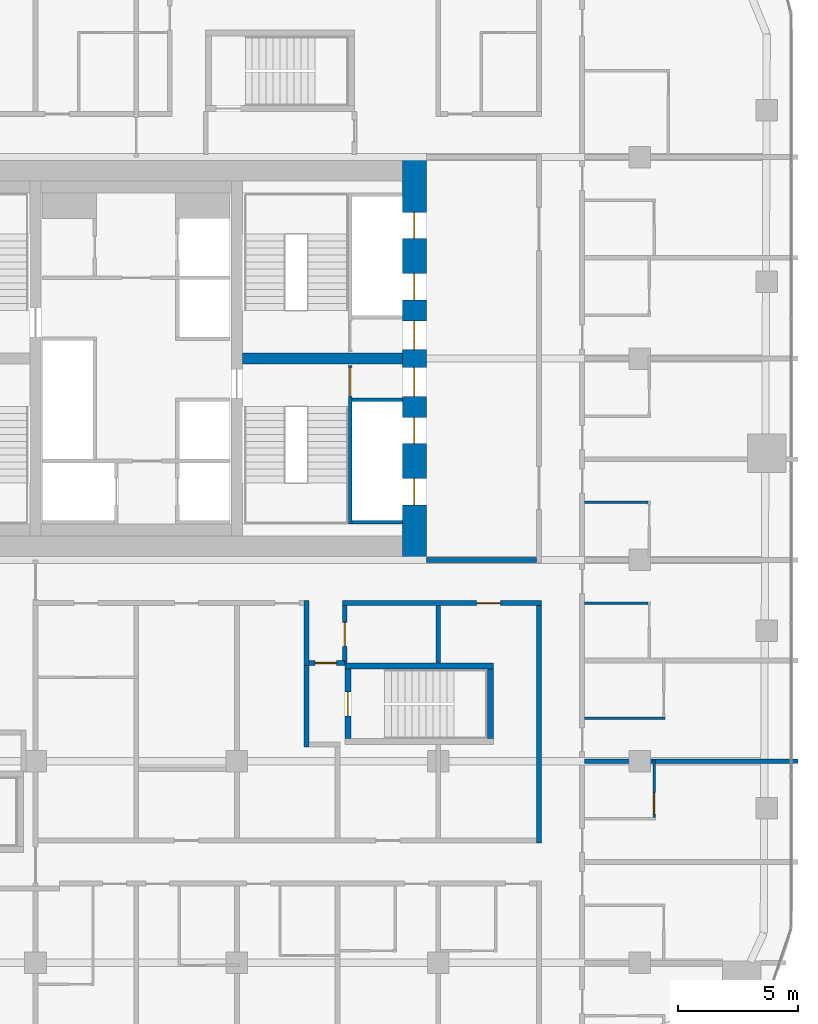
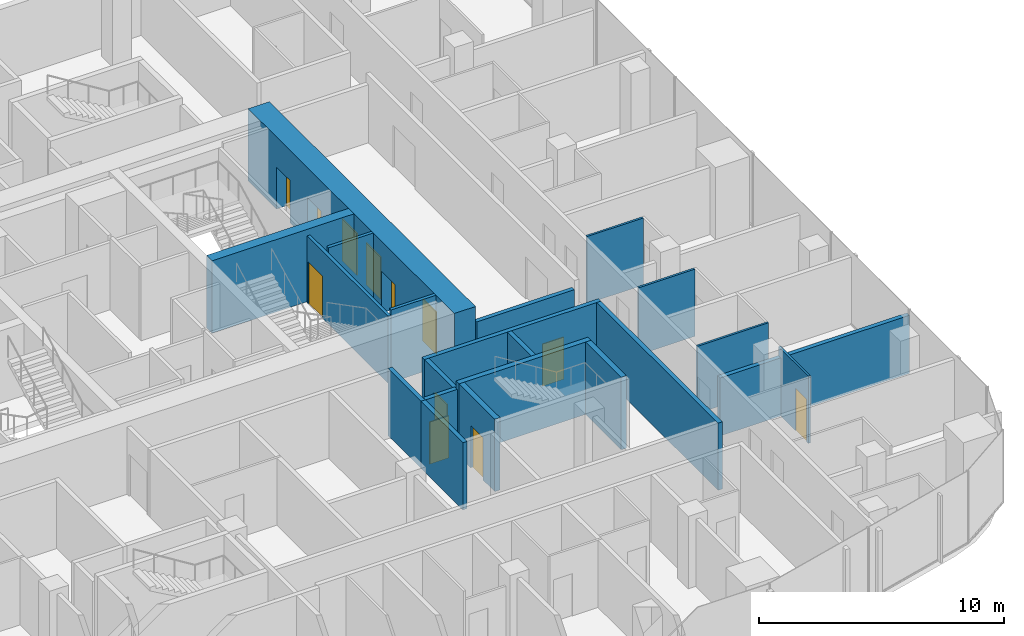
# One storey, part 17 of 23: 21 walls, 12 doors, 12 openings.
"""IFC4 building model written with IfcOpenShell, lengths in metres."""

from ifc_helpers import new_model, si_unit, direction, frame, frame_2d, origin, place, context, subcontext, project, spatial, rectangle, extrude, material, layer, layer_set, type_object, element, fill, save


model = new_model("IFC4")

# Units and contexts
model_context = context("Model", 3, precision=1e-05, world=origin(), true_north=direction((0.0, 1.0)))
body_context = subcontext(model_context, "Body", "Model", "MODEL_VIEW")
ifc_project = project(units=[si_unit("LENGTHUNIT", "METRE"), si_unit("AREAUNIT", "SQUARE_METRE"), si_unit("VOLUMEUNIT", "CUBIC_METRE"), si_unit("PLANEANGLEUNIT", "RADIAN"), si_unit("MASSUNIT", "GRAM", prefix="KILO")], contexts=[model_context])

# Site, building, storey
site_placement = place(None, origin())
site = spatial("IfcSite", under=ifc_project, at=site_placement, CompositionType="ELEMENT")
building_placement = place(site_placement, origin())
building = spatial("IfcBuilding", under=site, at=building_placement, Name="Marenta Gate Hotel Tower", CompositionType="ELEMENT")
storey_placement = place(building_placement, frame((0.0, 0.0, 140.89990234375)))
storey = spatial("IfcBuildingStorey", under=building, at=storey_placement, Name="L32", CompositionType="ELEMENT", Elevation=140.89990234375)

# Walls
ifc_material_1 = material(Name="Concrete blockwork", Category="masonry")
ifc_layer_1 = layer(ifc_material_1, 0.199951171875)
ifc_layer_set_1 = layer_set([ifc_layer_1], Name="Concrete blockwork")
wall_type_1 = type_object("IfcWallType", Name="Core boundary wall 200 REI 180", PredefinedType="PARTITIONING", material=ifc_layer_set_1)
wall_1_placement = place(storey_placement, frame((12.10009765625, 0.0, 0.0), z_axis=(0.0, 0.0, 1.0), x_axis=(1.0, 0.0, 0.0)))
element("IfcWall", 1, at=wall_1_placement, inside=storey, type_object=wall_type_1, Name="L32-CP-EW-ES", PredefinedType="PARTITIONING", context=body_context, shape_type="SweptSolid", body=[
    extrude(rectangle(XDim=4.599853515625, YDim=0.199951171875, at=frame_2d((2.2998046875, 0.0))), origin(), (0.0, 0.0, 1.0), 2.89013671875),
])
ifc_material_2 = material(Name="Concrete C40", Category="concrete")
ifc_layer_2 = layer(ifc_material_2, 0.14990234375)
ifc_layer_set_2 = layer_set([ifc_layer_2], Name="Concrete C40")
wall_type_2 = type_object("IfcWallType", Name="Core shaft wall 150 REI 180", PredefinedType="SHEAR", material=ifc_layer_set_2)
for number, where, z_axis, x_axis, name in (
    (2, (9.0, 6.675048828125, 0.0), (0.0, 0.0, 1.0), (1.0, 0.0, 0.0), "L32-SHF-SW-ES-2"),
    (3, (9.0, 1.574951171875, 0.0), (0.0, 0.0, 1.0), (1.0, 0.0, 0.0), "L32-SHF-SW-ES-5"),
):
    element("IfcWall", number, at=place(storey_placement, frame(where, z_axis=z_axis, x_axis=x_axis)), inside=storey, type_object=wall_type_2, Name=name, PredefinedType="SHEAR", context=body_context, shape_type="SweptSolid", body=[
        extrude(rectangle(XDim=2.10009765625, YDim=0.14990234375, at=frame_2d((1.050048828125, 0.0))), origin(), (0.0, 0.0, 1.0), 3.60009765625),
    ])

# Wall, opening, door
ifc_material_3 = material(Name="Concrete C40", Category="concrete")
ifc_layer_3 = layer(ifc_material_3, 0.14990234375)
ifc_layer_set_3 = layer_set([ifc_layer_3], Name="Concrete C40")
wall_type_3 = type_object("IfcWallType", Name="Core stair enclosure wall 150 REI 180", PredefinedType="SHEAR", material=ifc_layer_set_3)
wall_2_placement = place(storey_placement, frame((8.925048828125, 1.5, 0.0), z_axis=(0.0, 0.0, 1.0), x_axis=(0.0, 1.0, 0.0)))
wall_2 = element("IfcWall", 4, at=wall_2_placement, inside=storey, type_object=wall_type_3, Name="L32-SHF-SW-ES-3", PredefinedType="SHEAR", context=body_context, shape_type="SweptSolid", body=[
    extrude(rectangle(XDim=6.60009765625, YDim=0.14990234375, at=frame_2d((3.300048828125, 0.0))), origin(), (0.0, 0.0, 1.0), 3.340087890625),
])
opening_1_placement = place(wall_2_placement, frame((5.324951171875, 0.0, 0.0)))
opening_1 = element("IfcOpeningElement", 5, at=opening_1_placement, cuts=wall_2, Name="Opening SD-ES", PredefinedType="OPENING", context=body_context, shape_type="SweptSolid", body=[
    extrude(rectangle(XDim=1.199951171875, YDim=2.10009765625, at=frame_2d((0.60009765625, 1.050048828125))), frame((0.0, 0.074951171875, 0.0), z_axis=(0.0, -1.0, 0.0), x_axis=(1.0, 0.0, 0.0)), (0.0, 0.0, 1.0), 0.14990234375),
])
ifc_material_4 = material(Name="Steel", Category="steel")
door_type_1 = type_object("IfcDoorType", Name="Core stair door 1200x2100 FD60", OperationType="SINGLE_SWING_LEFT", PredefinedType="DOOR", material=ifc_material_4)
door_1_placement = place(opening_1_placement, origin())
door_1 = element("IfcDoor", 6, at=door_1_placement, inside=storey, type_object=door_type_1, Name="SD-ES", OperationType="SINGLE_SWING_LEFT", OverallHeight=2.10009765625, OverallWidth=1.199951171875, PredefinedType="DOOR", context=body_context, shape_type="SweptSolid", body=[
    extrude(rectangle(XDim=1.199951171875, YDim=2.10009765625, at=frame_2d((0.60009765625, 1.050048828125))), frame((0.0, 0.02490234375, 0.0), z_axis=(0.0, -1.0, 0.0), x_axis=(1.0, 0.0, 0.0)), (0.0, 0.0, 1.0), 0.050048828125),
])
fill(opening_1, door_1)

# Wall, openings, doors
ifc_material_5 = material(Name="Concrete C70", Category="concrete")
ifc_layer_4 = layer(ifc_material_5, 1.0)
ifc_layer_set_4 = layer_set([ifc_layer_4], Name="Concrete C70")
wall_type_4 = type_object("IfcWallType", Name="Core wall 1000 C70", PredefinedType="SHEAR", material=ifc_layer_set_4)
wall_3_placement = place(storey_placement, frame((11.60009765625, 0.0, 0.0), z_axis=(0.0, 0.0, 1.0), x_axis=(0.0, 1.0, 0.0)))
wall_3 = element("IfcWall", 7, at=wall_3_placement, inside=storey, type_object=wall_type_4, Name="L32-CORE-E", PredefinedType="SHEAR", context=body_context, shape_type="SweptSolid", body=[
    extrude(rectangle(XDim=16.800048828125, YDim=1.0, at=frame_2d((8.39990234375, 0.0))), origin(), (0.0, 0.0, 1.0), 3.60009765625),
])
opening_2_placement = place(wall_3_placement, frame((2.300048828125, 0.0, 0.0)))
opening_2 = element("IfcOpeningElement", 8, at=opening_2_placement, cuts=wall_3, Name="Opening LD-HR1", PredefinedType="OPENING", context=body_context, shape_type="SweptSolid", body=[
    extrude(rectangle(XDim=1.10009765625, YDim=2.10009765625, at=frame_2d((0.550048828125, 1.050048828125))), frame((0.0, 0.5, 0.0), z_axis=(0.0, -1.0, 0.0), x_axis=(1.0, 0.0, 0.0)), (0.0, 0.0, 1.0), 1.0),
])
opening_3_placement = place(wall_3_placement, frame((4.85009765625, 0.0, 0.0)))
opening_3 = element("IfcOpeningElement", 9, at=opening_3_placement, cuts=wall_3, Name="Opening LD-HR2", PredefinedType="OPENING", context=body_context, shape_type="SweptSolid", body=[
    extrude(rectangle(XDim=1.10009765625, YDim=2.10009765625, at=frame_2d((0.550048828125, 1.050048828125))), frame((0.0, 0.5, 0.0), z_axis=(0.0, -1.0, 0.0), x_axis=(1.0, 0.0, 0.0)), (0.0, 0.0, 1.0), 1.0),
])
opening_4_placement = place(wall_3_placement, frame((6.824951171875, 0.0, 0.0)))
opening_4 = element("IfcOpeningElement", 10, at=opening_4_placement, cuts=wall_3, Name="Opening PD-ES", PredefinedType="OPENING", context=body_context, shape_type="SweptSolid", body=[
    extrude(rectangle(XDim=1.199951171875, YDim=2.10009765625, at=frame_2d((0.60009765625, 1.050048828125))), frame((0.0, 0.5, 0.0), z_axis=(0.0, -1.0, 0.0), x_axis=(1.0, 0.0, 0.0)), (0.0, 0.0, 1.0), 1.0),
])
opening_5_placement = place(wall_3_placement, frame((13.39990234375, 0.0, 0.0)))
opening_5 = element("IfcOpeningElement", 11, at=opening_5_placement, cuts=wall_3, Name="Opening LD-HR4", PredefinedType="OPENING", context=body_context, shape_type="SweptSolid", body=[
    extrude(rectangle(XDim=1.10009765625, YDim=2.10009765625, at=frame_2d((0.550048828125, 1.050048828125))), frame((0.0, 0.5, 0.0), z_axis=(0.0, -1.0, 0.0), x_axis=(1.0, 0.0, 0.0)), (0.0, 0.0, 1.0), 1.0),
])
opening_6_placement = place(wall_3_placement, frame((10.85009765625, 0.0, 0.0)))
opening_6 = element("IfcOpeningElement", 12, at=opening_6_placement, cuts=wall_3, Name="Opening LD-HR3", PredefinedType="OPENING", context=body_context, shape_type="SweptSolid", body=[
    extrude(rectangle(XDim=1.10009765625, YDim=2.10009765625, at=frame_2d((0.550048828125, 1.050048828125))), frame((0.0, 0.5, 0.0), z_axis=(0.0, -1.0, 0.0), x_axis=(1.0, 0.0, 0.0)), (0.0, 0.0, 1.0), 1.0),
])
opening_7_placement = place(wall_3_placement, frame((8.77490234375, 0.0, 0.0)))
opening_7 = element("IfcOpeningElement", 13, at=opening_7_placement, cuts=wall_3, Name="Opening PD-EN", PredefinedType="OPENING", context=body_context, shape_type="SweptSolid", body=[
    extrude(rectangle(XDim=1.199951171875, YDim=2.10009765625, at=frame_2d((0.60009765625, 1.050048828125))), frame((0.0, 0.5, 0.0), z_axis=(0.0, -1.0, 0.0), x_axis=(1.0, 0.0, 0.0)), (0.0, 0.0, 1.0), 1.0),
])
ifc_material_6 = material(Name="Steel", Category="steel")
door_type_2 = type_object("IfcDoorType", Name="Core lift landing door 1100x2100 E 60", OperationType="SLIDING_TO_LEFT", PredefinedType="DOOR", material=ifc_material_6)
door_2_placement = place(opening_2_placement, origin())
door_2 = element("IfcDoor", 14, at=door_2_placement, inside=storey, type_object=door_type_2, Name="LD-HR1", OperationType="SLIDING_TO_LEFT", OverallHeight=2.10009765625, OverallWidth=1.10009765625, PredefinedType="DOOR", context=body_context, shape_type="SweptSolid", body=[
    extrude(rectangle(XDim=1.10009765625, YDim=2.10009765625, at=frame_2d((0.550048828125, 1.050048828125))), frame((0.0, 0.02490234375, 0.0), z_axis=(0.0, -1.0, 0.0), x_axis=(1.0, 0.0, 0.0)), (0.0, 0.0, 1.0), 0.050048828125),
])
fill(opening_2, door_2)
door_3_placement = place(opening_3_placement, origin())
door_3 = element("IfcDoor", 15, at=door_3_placement, inside=storey, type_object=door_type_2, Name="LD-HR2", OperationType="SLIDING_TO_LEFT", OverallHeight=2.10009765625, OverallWidth=1.10009765625, PredefinedType="DOOR", context=body_context, shape_type="SweptSolid", body=[
    extrude(rectangle(XDim=1.10009765625, YDim=2.10009765625, at=frame_2d((0.550048828125, 1.050048828125))), frame((0.0, 0.02490234375, 0.0), z_axis=(0.0, -1.0, 0.0), x_axis=(1.0, 0.0, 0.0)), (0.0, 0.0, 1.0), 0.050048828125),
])
fill(opening_3, door_3)
door_4_placement = place(opening_5_placement, origin())
door_4 = element("IfcDoor", 16, at=door_4_placement, inside=storey, type_object=door_type_2, Name="LD-HR4", OperationType="SLIDING_TO_LEFT", OverallHeight=2.10009765625, OverallWidth=1.10009765625, PredefinedType="DOOR", context=body_context, shape_type="SweptSolid", body=[
    extrude(rectangle(XDim=1.10009765625, YDim=2.10009765625, at=frame_2d((0.550048828125, 1.050048828125))), frame((0.0, 0.02490234375, 0.0), z_axis=(0.0, -1.0, 0.0), x_axis=(1.0, 0.0, 0.0)), (0.0, 0.0, 1.0), 0.050048828125),
])
fill(opening_5, door_4)
door_5_placement = place(opening_6_placement, origin())
door_5 = element("IfcDoor", 17, at=door_5_placement, inside=storey, type_object=door_type_2, Name="LD-HR3", OperationType="SLIDING_TO_LEFT", OverallHeight=2.10009765625, OverallWidth=1.10009765625, PredefinedType="DOOR", context=body_context, shape_type="SweptSolid", body=[
    extrude(rectangle(XDim=1.10009765625, YDim=2.10009765625, at=frame_2d((0.550048828125, 1.050048828125))), frame((0.0, 0.02490234375, 0.0), z_axis=(0.0, -1.0, 0.0), x_axis=(1.0, 0.0, 0.0)), (0.0, 0.0, 1.0), 0.050048828125),
])
fill(opening_6, door_5)
ifc_material_7 = material(Name="Steel", Category="steel")
door_type_3 = type_object("IfcDoorType", Name="Core lobby door 1200x2100 FD60", OperationType="SINGLE_SWING_LEFT", PredefinedType="DOOR", material=ifc_material_7)
door_6_placement = place(opening_4_placement, origin())
door_6 = element("IfcDoor", 18, at=door_6_placement, inside=storey, type_object=door_type_3, Name="PD-ES", OperationType="SINGLE_SWING_LEFT", OverallHeight=2.10009765625, OverallWidth=1.199951171875, PredefinedType="DOOR", context=body_context, shape_type="SweptSolid", body=[
    extrude(rectangle(XDim=1.199951171875, YDim=2.10009765625, at=frame_2d((0.60009765625, 1.050048828125))), frame((0.0, 0.02490234375, 0.0), z_axis=(0.0, -1.0, 0.0), x_axis=(1.0, 0.0, 0.0)), (0.0, 0.0, 1.0), 0.050048828125),
])
fill(opening_4, door_6)
door_7_placement = place(opening_7_placement, origin())
door_7 = element("IfcDoor", 19, at=door_7_placement, inside=storey, type_object=door_type_3, Name="PD-EN", OperationType="SINGLE_SWING_LEFT", OverallHeight=2.10009765625, OverallWidth=1.199951171875, PredefinedType="DOOR", context=body_context, shape_type="SweptSolid", body=[
    extrude(rectangle(XDim=1.199951171875, YDim=2.10009765625, at=frame_2d((0.60009765625, 1.050048828125))), frame((0.0, 0.02490234375, 0.0), z_axis=(0.0, -1.0, 0.0), x_axis=(1.0, 0.0, 0.0)), (0.0, 0.0, 1.0), 0.050048828125),
])
fill(opening_7, door_7)

# Walls
ifc_material_8 = material(Name="Concrete C70", Category="concrete")
ifc_layer_5 = layer(ifc_material_8, 0.449951171875)
ifc_layer_set_5 = layer_set([ifc_layer_5], Name="Concrete C70")
wall_type_5 = type_object("IfcWallType", Name="Core web 450 C70", PredefinedType="SHEAR", material=ifc_layer_set_5)
wall_4_placement = place(storey_placement, frame((4.425048828125, 8.39990234375, 0.0), z_axis=(0.0, 0.0, 1.0), x_axis=(1.0, 0.0, 0.0)))
element("IfcWall", 20, at=wall_4_placement, inside=storey, type_object=wall_type_5, Name="L32-CORE-W4", PredefinedType="SHEAR", context=body_context, shape_type="SweptSolid", body=[
    extrude(rectangle(XDim=6.675048828125, YDim=0.449951171875, at=frame_2d((3.33740234375, 0.0))), origin(), (0.0, 0.0, 1.0), 3.60009765625),
])
ifc_material_9 = material(Name="Concrete C40", Category="concrete")
ifc_layer_6 = layer(ifc_material_9, 0.25)
ifc_layer_set_6 = layer_set([ifc_layer_6], Name="Concrete C40")
wall_type_6 = type_object("IfcWallType", Name="Remote stair enclosure wall 250 REI 180", PredefinedType="SHEAR", material=ifc_layer_set_6)
wall_5_placement = place(storey_placement, frame((8.699951171875, -4.425048828125, 0.10009765625), z_axis=(0.0, 0.0, 1.0), x_axis=(1.0, 0.0, 0.0)))
element("IfcWall", 21, at=wall_5_placement, inside=storey, type_object=wall_type_6, Name="L32-RS-Z2-2-W2", PredefinedType="SHEAR", context=body_context, shape_type="SweptSolid", body=[
    extrude(rectangle(XDim=6.199951171875, YDim=0.25, at=frame_2d((3.10009765625, 0.0))), origin(), (0.0, 0.0, 1.0), 3.60009765625),
])

# Wall, opening, door
wall_6_placement = place(storey_placement, frame((8.824951171875, -7.449951171875, 0.10009765625), z_axis=(0.0, 0.0, 1.0), x_axis=(0.0, 1.0, 0.0)))
wall_6 = element("IfcWall", 22, at=wall_6_placement, inside=storey, type_object=wall_type_6, Name="L32-RS-Z2-2-W3", PredefinedType="SHEAR", context=body_context, shape_type="SweptSolid", body=[
    extrude(rectangle(XDim=2.89990234375, YDim=0.25, at=frame_2d((1.449951171875, 0.0))), origin(), (0.0, 0.0, 1.0), 3.60009765625),
])
opening_8_placement = place(wall_6_placement, frame((0.949951171875, 0.0, 0.0)))
opening_8 = element("IfcOpeningElement", 23, at=opening_8_placement, cuts=wall_6, Name="Opening VD", PredefinedType="OPENING", context=body_context, shape_type="SweptSolid", body=[
    extrude(rectangle(XDim=1.0, YDim=2.10009765625, at=frame_2d((0.5, 1.050048828125))), frame((0.0, 0.125, 0.0), z_axis=(0.0, -1.0, 0.0), x_axis=(1.0, 0.0, 0.0)), (0.0, 0.0, 1.0), 0.25),
])
ifc_material_10 = material(Name="Steel", Category="steel")
door_type_4 = type_object("IfcDoorType", Name="Stair vestibule door 1000x2100 FD60", OperationType="SINGLE_SWING_LEFT", PredefinedType="DOOR", material=ifc_material_10)
door_8_placement = place(opening_8_placement, origin())
door_8 = element("IfcDoor", 24, at=door_8_placement, inside=storey, type_object=door_type_4, Name="VD", OperationType="SINGLE_SWING_LEFT", OverallHeight=2.10009765625, OverallWidth=1.0, PredefinedType="DOOR", context=body_context, shape_type="SweptSolid", body=[
    extrude(rectangle(XDim=1.0, YDim=2.10009765625, at=frame_2d((0.5, 1.050048828125))), frame((0.0, 0.02490234375, 0.0), z_axis=(0.0, -1.0, 0.0), x_axis=(1.0, 0.0, 0.0)), (0.0, 0.0, 1.0), 0.050048828125),
])
fill(opening_8, door_8)

# Walls
wall_7_placement = place(storey_placement, frame((14.77490234375, -7.449951171875, 0.10009765625), z_axis=(0.0, 0.0, 1.0), x_axis=(0.0, 1.0, 0.0)))
element("IfcWall", 25, at=wall_7_placement, inside=storey, type_object=wall_type_6, Name="L32-RS-Z2-2-W4", PredefinedType="SHEAR", context=body_context, shape_type="SweptSolid", body=[
    extrude(rectangle(XDim=2.89990234375, YDim=0.25, at=frame_2d((1.449951171875, 0.0))), origin(), (0.0, 0.0, 1.0), 3.60009765625),
])
ifc_material_11 = material(Name="Gypsum board on steel stud", Category="steel")
ifc_layer_7 = layer(ifc_material_11, 0.199951171875)
ifc_layer_set_7 = layer_set([ifc_layer_7], Name="Gypsum board on steel stud")
wall_type_7 = type_object("IfcWallType", Name="Room corridor wall 200 EI 60", PredefinedType="PARTITIONING", material=ifc_layer_set_7)
wall_8_placement = place(storey_placement, frame((16.800048828125, -11.800048828125, 0.0), z_axis=(0.0, 0.0, 1.0), x_axis=(0.0, 1.0, 0.0)))
element("IfcWall", 26, at=wall_8_placement, inside=storey, type_object=wall_type_7, Name="L32-PTN-W018", PredefinedType="PARTITIONING", context=body_context, shape_type="SweptSolid", body=[
    extrude(rectangle(XDim=9.900146484375, YDim=0.199951171875, at=frame_2d((4.9501953125, 0.0))), origin(), (0.0, 0.0, 1.0), 3.340087890625),
])

# Wall, opening, door
wall_9_placement = place(storey_placement, frame((8.699951171875, -4.300048828125, 0.0), z_axis=(0.0, 0.0, 1.0), x_axis=(0.0, 1.0, 0.0)))
wall_9 = element("IfcWall", 27, at=wall_9_placement, inside=storey, type_object=wall_type_7, Name="L32-PTN-W044", PredefinedType="PARTITIONING", context=body_context, shape_type="SweptSolid", body=[
    extrude(rectangle(XDim=2.400146484375, YDim=0.199951171875, at=frame_2d((1.2001953125, 0.0))), origin(), (0.0, 0.0, 1.0), 3.340087890625),
])
opening_9_placement = place(wall_9_placement, frame((0.699951171875, 0.0, 0.0)))
opening_9 = element("IfcOpeningElement", 28, at=opening_9_placement, cuts=wall_9, Name="Opening G12-71", PredefinedType="OPENING", context=body_context, shape_type="SweptSolid", body=[
    extrude(rectangle(XDim=1.0, YDim=2.10009765625, at=frame_2d((0.5, 1.050048828125))), frame((0.0, 0.10009765625, 0.0), z_axis=(0.0, -1.0, 0.0), x_axis=(1.0, 0.0, 0.0)), (0.0, 0.0, 1.0), 0.199951171875),
])
ifc_material_12 = material(Name="Timber door leaf", Category="wood")
door_type_5 = type_object("IfcDoorType", Name="Room amenity door 1000x2100 EI 30", OperationType="NOTDEFINED", PredefinedType="DOOR", material=ifc_material_12)
door_9_placement = place(opening_9_placement, origin())
door_9 = element("IfcDoor", 29, at=door_9_placement, inside=storey, type_object=door_type_5, Name="L32-PD-D071", OperationType="SINGLE_SWING_LEFT", OverallHeight=2.10009765625, OverallWidth=1.0, PredefinedType="DOOR", context=body_context, shape_type="SweptSolid", body=[
    extrude(rectangle(XDim=1.0, YDim=2.10009765625, at=frame_2d((0.5, 1.050048828125))), frame((0.0, 0.02490234375, 0.0), z_axis=(0.0, -1.0, 0.0), x_axis=(1.0, 0.0, 0.0)), (0.0, 0.0, 1.0), 0.050048828125),
])
fill(opening_9, door_9)

# Wall
wall_10_placement = place(storey_placement, frame((7.10009765625, -4.39990234375, 0.0), z_axis=(0.0, 0.0, 1.0), x_axis=(0.0, 1.0, 0.0)))
element("IfcWall", 30, at=wall_10_placement, inside=storey, type_object=wall_type_7, Name="L32-PTN-W053", PredefinedType="PARTITIONING", context=body_context, shape_type="SweptSolid", body=[
    extrude(rectangle(XDim=2.699951171875, YDim=0.199951171875, at=frame_2d((1.35009765625, 0.0))), origin(), (0.0, 0.0, 1.0), 3.340087890625),
])

# Wall, opening, door
wall_11_placement = place(storey_placement, frame((8.60009765625, -1.800048828125, 0.0), z_axis=(0.0, 0.0, 1.0), x_axis=(1.0, 0.0, 0.0)))
wall_11 = element("IfcWall", 31, at=wall_11_placement, inside=storey, type_object=wall_type_7, Name="L32-PTN-W071", PredefinedType="PARTITIONING", context=body_context, shape_type="SweptSolid", body=[
    extrude(rectangle(XDim=8.2998046875, YDim=0.199951171875, at=frame_2d((4.14990234375, 0.0))), origin(), (0.0, 0.0, 1.0), 3.340087890625),
])
opening_10_placement = place(wall_11_placement, frame((5.60009765625, 0.0, 0.0)))
opening_10 = element("IfcOpeningElement", 32, at=opening_10_placement, cuts=wall_11, Name="Opening G12-07", PredefinedType="OPENING", context=body_context, shape_type="SweptSolid", body=[
    extrude(rectangle(XDim=1.0, YDim=2.10009765625, at=frame_2d((0.5, 1.050048828125))), frame((0.0, 0.10009765625, 0.0), z_axis=(0.0, -1.0, 0.0), x_axis=(1.0, 0.0, 0.0)), (0.0, 0.0, 1.0), 0.199951171875),
])
door_10_placement = place(opening_10_placement, origin())
door_10 = element("IfcDoor", 33, at=door_10_placement, inside=storey, type_object=door_type_5, Name="L32-PD-D007", OperationType="SINGLE_SWING_LEFT", OverallHeight=2.10009765625, OverallWidth=1.0, PredefinedType="DOOR", context=body_context, shape_type="SweptSolid", body=[
    extrude(rectangle(XDim=1.0, YDim=2.10009765625, at=frame_2d((0.5, 1.050048828125))), frame((0.0, 0.02490234375, 0.0), z_axis=(0.0, -1.0, 0.0), x_axis=(1.0, 0.0, 0.0)), (0.0, 0.0, 1.0), 0.050048828125),
])
fill(opening_10, door_10)

ifc_material_13 = material(Name="Concrete blockwork", Category="masonry")
ifc_layer_8 = layer(ifc_material_13, 0.199951171875)
ifc_layer_set_8 = layer_set([ifc_layer_8], Name="Concrete blockwork")
wall_type_8 = type_object("IfcWallType", Name="Room corridor wall 200 REI 180", PredefinedType="PARTITIONING", material=ifc_layer_set_8)
wall_12_placement = place(storey_placement, frame((7.199951171875, -4.300048828125, 0.0), z_axis=(0.0, 0.0, 1.0), x_axis=(1.0, 0.0, 0.0)))
wall_12 = element("IfcWall", 34, at=wall_12_placement, inside=storey, type_object=wall_type_8, Name="L32-PTN-W059", PredefinedType="PARTITIONING", context=body_context, shape_type="SweptSolid", body=[
    extrude(rectangle(XDim=1.5, YDim=0.199951171875, at=frame_2d((0.75, 0.0))), origin(), (0.0, 0.0, 1.0), 3.340087890625),
])
opening_11_placement = place(wall_12_placement, frame((0.25, 0.0, 0.0)))
opening_11 = element("IfcOpeningElement", 35, at=opening_11_placement, cuts=wall_12, Name="Opening G12-67", PredefinedType="OPENING", context=body_context, shape_type="SweptSolid", body=[
    extrude(rectangle(XDim=0.89990234375, YDim=2.10009765625, at=frame_2d((0.449951171875, 1.050048828125))), frame((0.0, 0.10009765625, 0.0), z_axis=(0.0, -1.0, 0.0), x_axis=(1.0, 0.0, 0.0)), (0.0, 0.0, 1.0), 0.199951171875),
])
ifc_material_14 = material(Name="Hollow steel door set", Category="steel")
door_type_6 = type_object("IfcDoorType", Name="Stair vestibule door 900x2100 EI 60", OperationType="NOTDEFINED", PredefinedType="DOOR", material=ifc_material_14)
door_11_placement = place(opening_11_placement, origin())
door_11 = element("IfcDoor", 36, at=door_11_placement, inside=storey, type_object=door_type_6, Name="L32-PD-D067", OperationType="SINGLE_SWING_LEFT", OverallHeight=2.10009765625, OverallWidth=0.89990234375, PredefinedType="DOOR", context=body_context, shape_type="SweptSolid", body=[
    extrude(rectangle(XDim=0.89990234375, YDim=2.10009765625, at=frame_2d((0.449951171875, 1.050048828125))), frame((0.0, 0.02490234375, 0.0), z_axis=(0.0, -1.0, 0.0), x_axis=(1.0, 0.0, 0.0)), (0.0, 0.0, 1.0), 0.050048828125),
])
fill(opening_11, door_11)

ifc_material_15 = material(Name="Gypsum board on steel stud", Category="steel")
ifc_layer_9 = layer(ifc_material_15, 0.10009765625)
ifc_layer_set_9 = layer_set([ifc_layer_9], Name="Gypsum board on steel stud")
wall_type_9 = type_object("IfcWallType", Name="Room partition 100", PredefinedType="PARTITIONING", material=ifc_layer_set_9)
wall_13_placement = place(storey_placement, frame((21.60009765625, -10.75, 0.0), z_axis=(0.0, 0.0, 1.0), x_axis=(0.0, 1.0, 0.0)))
wall_13 = element("IfcWall", 37, at=wall_13_placement, inside=storey, type_object=wall_type_9, Name="L32-PTN-W006", PredefinedType="PARTITIONING", context=body_context, shape_type="SweptSolid", body=[
    extrude(rectangle(XDim=2.449951171875, YDim=0.10009765625, at=frame_2d((1.22509765625, 0.0))), origin(), (0.0, 0.0, 1.0), 3.340087890625),
])
opening_12_placement = place(wall_13_placement, frame((0.14990234375, 0.0, 0.0)))
opening_12 = element("IfcOpeningElement", 38, at=opening_12_placement, cuts=wall_13, Name="Opening G12-13", PredefinedType="OPENING", context=body_context, shape_type="SweptSolid", body=[
    extrude(rectangle(XDim=0.89990234375, YDim=2.10009765625, at=frame_2d((0.449951171875, 1.050048828125))), frame((0.0, 0.050048828125, 0.0), z_axis=(0.0, -1.0, 0.0), x_axis=(1.0, 0.0, 0.0)), (0.0, 0.0, 1.0), 0.10009765625),
])
ifc_material_16 = material(Name="Timber door leaf", Category="wood")
door_type_7 = type_object("IfcDoorType", Name="Guest bathroom door 900x2100", OperationType="NOTDEFINED", PredefinedType="DOOR", material=ifc_material_16)
door_12_placement = place(opening_12_placement, origin())
door_12 = element("IfcDoor", 39, at=door_12_placement, inside=storey, type_object=door_type_7, Name="L32-PD-D013", OperationType="SINGLE_SWING_LEFT", OverallHeight=2.10009765625, OverallWidth=0.89990234375, PredefinedType="DOOR", context=body_context, shape_type="SweptSolid", body=[
    extrude(rectangle(XDim=0.89990234375, YDim=2.10009765625, at=frame_2d((0.449951171875, 1.050048828125))), frame((0.0, 0.02490234375, 0.0), z_axis=(0.0, -1.0, 0.0), x_axis=(1.0, 0.0, 0.0)), (0.0, 0.0, 1.0), 0.050048828125),
])
fill(opening_12, door_12)

# Walls
wall_14_placement = place(storey_placement, frame((18.699951171875, -6.60009765625, 0.0), z_axis=(0.0, 0.0, 1.0), x_axis=(1.0, 0.0, 0.0)))
element("IfcWall", 40, at=wall_14_placement, inside=storey, type_object=wall_type_9, Name="L32-PTN-W055", PredefinedType="PARTITIONING", context=body_context, shape_type="SweptSolid", body=[
    extrude(rectangle(XDim=3.35009765625, YDim=0.10009765625, at=frame_2d((1.675048828125, 0.0))), origin(), (0.0, 0.0, 1.0), 3.340087890625),
])
for number, where, z_axis, x_axis, name in (
    (41, (18.699951171875, -1.800048828125, 0.0), (0.0, 0.0, 1.0), (1.0, 0.0, 0.0), "L32-PTN-W068"),
    (42, (18.699951171875, 2.39990234375, 0.0), (0.0, 0.0, 1.0), (1.0, 0.0, 0.0), "L32-PTN-W081"),
):
    element("IfcWall", number, at=place(storey_placement, frame(where, z_axis=z_axis, x_axis=x_axis)), inside=storey, type_object=wall_type_9, Name=name, PredefinedType="PARTITIONING", context=body_context, shape_type="SweptSolid", body=[
        extrude(rectangle(XDim=2.650146484375, YDim=0.10009765625, at=frame_2d((1.3251953125, 0.0))), origin(), (0.0, 0.0, 1.0), 3.340087890625),
    ])
ifc_material_17 = material(Name="Gypsum board on steel stud", Category="steel")
ifc_layer_10 = layer(ifc_material_17, 0.199951171875)
ifc_layer_set_10 = layer_set([ifc_layer_10], Name="Gypsum board on steel stud")
wall_type_10 = type_object("IfcWallType", Name="Room party wall 200 EI 60", PredefinedType="PARTITIONING", material=ifc_layer_set_10)
wall_15_placement = place(storey_placement, frame((12.60009765625, -4.300048828125, 0.0), z_axis=(0.0, 0.0, 1.0), x_axis=(0.0, 1.0, 0.0)))
element("IfcWall", 43, at=wall_15_placement, inside=storey, type_object=wall_type_10, Name="L32-PTN-W034", PredefinedType="PARTITIONING", context=body_context, shape_type="SweptSolid", body=[
    extrude(rectangle(XDim=2.400146484375, YDim=0.199951171875, at=frame_2d((1.2001953125, 0.0))), origin(), (0.0, 0.0, 1.0), 3.340087890625),
])
wall_16_placement = place(storey_placement, frame((18.699951171875, -8.39990234375, 0.0), z_axis=(0.0, 0.0, 1.0), x_axis=(1.0, 0.0, 0.0)))
element("IfcWall", 44, at=wall_16_placement, inside=storey, type_object=wall_type_10, Name="L32-PTN-W048", PredefinedType="PARTITIONING", context=body_context, shape_type="SweptSolid", body=[
    extrude(rectangle(XDim=8.900146484375, YDim=0.199951171875, at=frame_2d((4.4501953125, 0.0))), origin(), (0.0, 0.0, 1.0), 2.89013671875),
])
ifc_material_18 = material(Name="Concrete blockwork", Category="masonry")
ifc_layer_11 = layer(ifc_material_18, 0.199951171875)
ifc_layer_set_11 = layer_set([ifc_layer_11], Name="Concrete blockwork")
wall_type_11 = type_object("IfcWallType", Name="Room party wall 200 REI 180", PredefinedType="PARTITIONING", material=ifc_layer_set_11)
wall_17_placement = place(storey_placement, frame((7.10009765625, -7.800048828125, 0.0), z_axis=(0.0, 0.0, 1.0), x_axis=(0.0, 1.0, 0.0)))
element("IfcWall", 45, at=wall_17_placement, inside=storey, type_object=wall_type_11, Name="L32-PTN-W052", PredefinedType="PARTITIONING", context=body_context, shape_type="SweptSolid", body=[
    extrude(rectangle(XDim=3.400146484375, YDim=0.199951171875, at=frame_2d((1.7001953125, 0.0))), origin(), (0.0, 0.0, 1.0), 3.340087890625),
])

save(model, "model.ifc")
